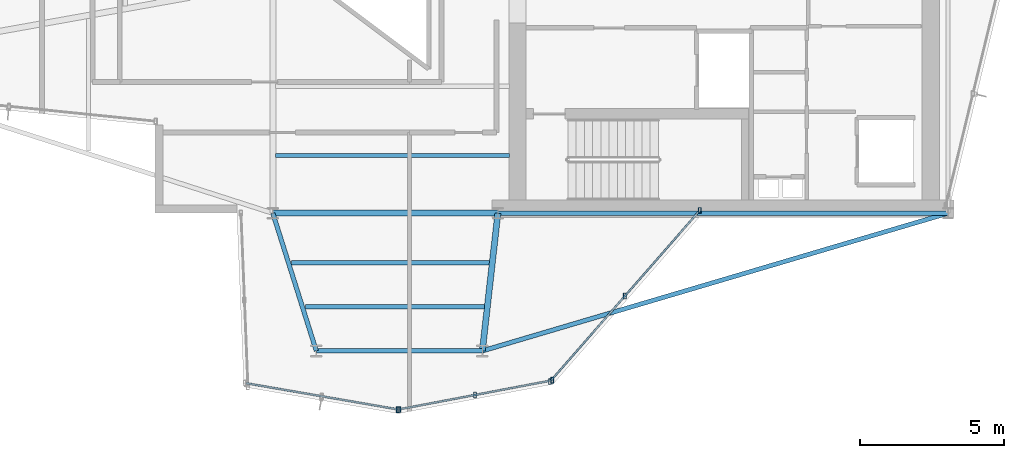
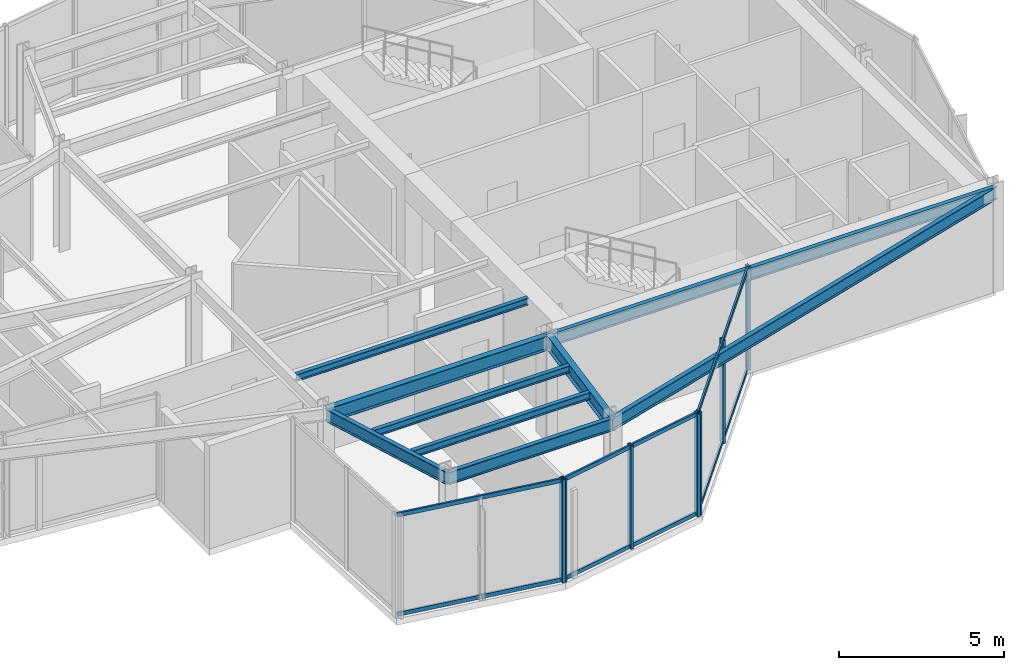
# One storey, part 3 of 14: 13 members, 9 beams, 3 elements without a shape of their own.
"""IFC4 building model written with IfcOpenShell, lengths in metres."""

from ifc_helpers import new_model, si_unit, direction, frame, origin, origin_2d, place, context, subcontext, project, spatial, hollow_rectangle, i_section, extrude, material, layer, layer_set, material_profile, profile_set, type_object, element, aggregate, save


model = new_model("IFC4")

# Units and contexts
model_context = context("Model", 3, precision=1e-05, world=origin(), true_north=direction((0.0, 1.0)))
body_context = subcontext(model_context, "Body", "Model", "MODEL_VIEW")
ifc_project = project(units=[si_unit("LENGTHUNIT", "METRE"), si_unit("AREAUNIT", "SQUARE_METRE"), si_unit("VOLUMEUNIT", "CUBIC_METRE"), si_unit("PLANEANGLEUNIT", "RADIAN"), si_unit("MASSUNIT", "GRAM", prefix="KILO")], contexts=[model_context])

# Site, building, storey
site_placement = place(None, origin())
site = spatial("IfcSite", under=ifc_project, at=site_placement, CompositionType="ELEMENT")
building_placement = place(site_placement, origin())
building = spatial("IfcBuilding", under=site, at=building_placement, Name="Veymaron Broadcast Tower", CompositionType="ELEMENT")
storey_placement = place(building_placement, frame((0.0, 0.0, 270.89990234375)))
storey = spatial("IfcBuildingStorey", under=building, at=storey_placement, Name="L63", CompositionType="ELEMENT", Elevation=270.89990234375)

# Beams
ifc_material_1 = material(Name="Structural steel ASTM A992 Gr 50", Category="steel")
ifc_material_profile_1 = material_profile(ifc_material_1, i_section(OverallWidth=0.208984375, OverallDepth=0.528076171875, WebThickness=0.009521484375, FlangeThickness=0.01318359375, at=origin_2d()), Name="W530X82")
ifc_profile_set_1 = profile_set([ifc_material_profile_1], Name="Structural steel ASTM A992 Gr 50")
beam_type_1 = type_object("IfcBeamType", Name="BM-FG4", PredefinedType="BEAM", material=ifc_profile_set_1)
beam_1_placement = place(storey_placement, frame((31.199951171875, 16.0, 3.546142578125), z_axis=(1.0, 0.0, 0.0), x_axis=(0.0, 1.0, 0.0)))
element("IfcBeam", 1, at=beam_1_placement, inside=storey, type_object=beam_type_1, Name="L63 primary structural floor girder", PredefinedType="BEAM", context=body_context, shape_type="SweptSolid", body=[
    extrude(i_section(OverallWidth=0.208984375, OverallDepth=0.528076171875, WebThickness=0.009521484375, FlangeThickness=0.01318359375, at=origin_2d()), origin(), (0.0, 0.0, 1.0), 7.800048828125),
])
beam_2_placement = place(storey_placement, frame((39.0, 16.0, 3.546142578125), z_axis=(-0.112049553621, -0.993702620271, 0.0), x_axis=(0.993702620271, -0.112049553621, 0.0)))
element("IfcBeam", 2, at=beam_2_placement, inside=storey, type_object=beam_type_1, Name="L63 primary structural floor girder", PredefinedType="BEAM", context=body_context, shape_type="SweptSolid", body=[
    extrude(i_section(OverallWidth=0.208984375, OverallDepth=0.528076171875, WebThickness=0.009521484375, FlangeThickness=0.01318359375, at=origin_2d()), origin(), (0.0, 0.0, 1.0), 4.80224609375),
])
ifc_material_profile_2 = material_profile(ifc_material_1, i_section(OverallWidth=0.14599609375, OverallDepth=0.258056640625, WebThickness=0.006103515625, FlangeThickness=0.009033203125, at=origin_2d()), Name="W250X33")
ifc_profile_set_2 = profile_set([ifc_material_profile_2], Name="Structural steel ASTM A992 Gr 50")
beam_type_2 = type_object("IfcBeamType", Name="BM-JS4", PredefinedType="JOIST", material=ifc_profile_set_2)
beam_3_placement = place(storey_placement, frame((31.84228515625, 14.281982421875, 3.68115234375), z_axis=(1.0, 0.0, 0.0), x_axis=(0.0, 1.0, 0.0)))
element("IfcBeam", 3, at=beam_3_placement, inside=storey, type_object=beam_type_2, Name="L63 Arm-C secondary joist 1", PredefinedType="JOIST", context=body_context, shape_type="SweptSolid", body=[
    extrude(i_section(OverallWidth=0.14599609375, OverallDepth=0.258056640625, WebThickness=0.006103515625, FlangeThickness=0.009033203125, at=origin_2d()), origin(), (0.0, 0.0, 1.0), 6.864013671875),
])
beam_4_placement = place(storey_placement, frame((32.324462890625, 12.7548828125, 3.68115234375), z_axis=(1.0, 0.0, 0.0), x_axis=(0.0, 1.0, 0.0)))
element("IfcBeam", 4, at=beam_4_placement, inside=storey, type_object=beam_type_2, Name="L63 Arm-C secondary joist 2", PredefinedType="JOIST", context=body_context, shape_type="SweptSolid", body=[
    extrude(i_section(OverallWidth=0.14599609375, OverallDepth=0.258056640625, WebThickness=0.006103515625, FlangeThickness=0.009033203125, at=origin_2d()), origin(), (0.0, 0.0, 1.0), 6.209716796875),
])
beam_5_placement = place(storey_placement, frame((31.300048828125, 18.0, 3.68115234375), z_axis=(1.0, 0.0, 0.0), x_axis=(0.0, 1.0, 0.0)))
element("IfcBeam", 5, at=beam_5_placement, inside=storey, type_object=beam_type_2, Name="L63 Hub secondary joist 1", PredefinedType="JOIST", context=body_context, shape_type="SweptSolid", body=[
    extrude(i_section(OverallWidth=0.14599609375, OverallDepth=0.258056640625, WebThickness=0.006103515625, FlangeThickness=0.009033203125, at=origin_2d()), origin(), (0.0, 0.0, 1.0), 8.099853515625),
])
ifc_material_profile_3 = material_profile(ifc_material_1, i_section(OverallWidth=0.154052734375, OverallDepth=0.458984375, WebThickness=0.009033203125, FlangeThickness=0.015380859375, at=origin_2d()), Name="W460X68")
ifc_profile_set_3 = profile_set([ifc_material_profile_3], Name="Structural steel ASTM A992 Gr 50")
beam_type_3 = type_object("IfcBeamType", Name="BM-SP2", PredefinedType="SPANDREL", material=ifc_profile_set_3)
beam_6_placement = place(storey_placement, frame((39.0, 16.0, 3.58056640625), z_axis=(1.0, 0.0, 0.0), x_axis=(0.0, 1.0, 0.0)))
element("IfcBeam", 6, at=beam_6_placement, inside=storey, type_object=beam_type_3, Name="L63 primary structural floor girder", PredefinedType="SPANDREL", context=body_context, shape_type="SweptSolid", body=[
    extrude(i_section(OverallWidth=0.154052734375, OverallDepth=0.458984375, WebThickness=0.009033203125, FlangeThickness=0.015380859375, at=origin_2d()), origin(), (0.0, 0.0, 1.0), 15.60009765625),
])
beam_7_placement = place(storey_placement, frame((31.199951171875, 16.0, 3.58056640625), z_axis=(0.301023957979, -0.953616577416, 0.0), x_axis=(0.953616577416, 0.301023957979, 0.0)))
element("IfcBeam", 7, at=beam_7_placement, inside=storey, type_object=beam_type_3, Name="L63 primary structural floor girder", PredefinedType="SPANDREL", context=body_context, shape_type="SweptSolid", body=[
    extrude(i_section(OverallWidth=0.154052734375, OverallDepth=0.458984375, WebThickness=0.009033203125, FlangeThickness=0.015380859375, at=origin_2d()), origin(), (0.0, 0.0, 1.0), 5.004150390625),
])
beam_8_placement = place(storey_placement, frame((54.60009765625, 16.0, 3.58056640625), z_axis=(-0.958955148663, -0.283557794556, 0.0), x_axis=(0.283557794556, -0.958955148663, 0.0)))
element("IfcBeam", 8, at=beam_8_placement, inside=storey, type_object=beam_type_3, Name="L63 primary structural floor girder", PredefinedType="SPANDREL", context=body_context, shape_type="SweptSolid", body=[
    extrude(i_section(OverallWidth=0.154052734375, OverallDepth=0.458984375, WebThickness=0.009033203125, FlangeThickness=0.015380859375, at=origin_2d()), origin(), (0.0, 0.0, 1.0), 16.828857421875),
])
beam_9_placement = place(storey_placement, frame((32.706298828125, 11.22802734375, 3.58056640625), z_axis=(1.0, 0.0, 0.0), x_axis=(0.0, 1.0, 0.0)))
element("IfcBeam", 9, at=beam_9_placement, inside=storey, type_object=beam_type_3, Name="L63 primary structural floor girder", PredefinedType="SPANDREL", context=body_context, shape_type="SweptSolid", body=[
    extrude(i_section(OverallWidth=0.154052734375, OverallDepth=0.458984375, WebThickness=0.009033203125, FlangeThickness=0.015380859375, at=origin_2d()), origin(), (0.0, 0.0, 1.0), 5.755615234375),
])

# Curtain wall, member
ifc_material_2 = material(Name="Anodised aluminium AA 6063-T6 and laminated low-E dark glass", Category="aluminium")
ifc_layer = layer(ifc_material_2, 0.179931640625)
ifc_layer_set = layer_set([ifc_layer], Name="Anodised aluminium AA 6063-T6 and laminated low-E dark glass")
curtain_wall_type = type_object("IfcCurtainWallType", Name="CW-SYS-06", PredefinedType="NOTDEFINED", material=ifc_layer_set)
curtain_wall_1_placement = place(storey_placement, origin())
curtain_wall_1 = element("IfcCurtainWall", 10, at=curtain_wall_1_placement, inside=storey, type_object=curtain_wall_type, Name="L63 dark-glass curtain wall CW-L63-E18-1", PredefinedType="NOTDEFINED")
ifc_material_3 = material(Name="Anodised aluminium AA 6063-T6", Category="aluminium")
ifc_material_profile_4 = material_profile(ifc_material_3, hollow_rectangle(XDim=0.10009765625, YDim=0.199951171875, WallThickness=0.010009765625, at=origin_2d()), Name="RHS200X100X10")
ifc_profile_set_4 = profile_set([ifc_material_profile_4], Name="Anodised aluminium AA 6063-T6")
member_type_1 = type_object("IfcMemberType", Name="CW-MUL-01", PredefinedType="MULLION", material=ifc_profile_set_4)
member_1_placement = place(storey_placement, frame((35.576904296875, 9.19287109375, 0.0), z_axis=(0.0, 0.0, 1.0), x_axis=(1.0, 0.0, 0.0)))
member_1 = element("IfcMember", 11, at=member_1_placement, type_object=member_type_1, Name="CW-L63-E18-1 mullion 2", PredefinedType="MULLION", context=body_context, shape_type="SweptSolid", body=[
    extrude(hollow_rectangle(XDim=0.10009765625, YDim=0.199951171875, WallThickness=0.010009765625, at=origin_2d()), origin(), (0.0, 0.0, 1.0), 3.81005859375),
])

# Curtain wall, members
curtain_wall_2_placement = place(storey_placement, origin())
curtain_wall_2 = element("IfcCurtainWall", 12, at=curtain_wall_2_placement, inside=storey, type_object=curtain_wall_type, Name="L63 dark-glass curtain wall CW-L63-E19-1", PredefinedType="NOTDEFINED")
member_2_placement = place(storey_placement, frame((35.527099609375, 9.1923828125, 0.0), z_axis=(0.0, 0.0, 1.0), x_axis=(1.0, 0.0, 0.0)))
member_2 = element("IfcMember", 13, at=member_2_placement, type_object=member_type_1, Name="CW-L63-E19-1 mullion 0", PredefinedType="MULLION", context=body_context, shape_type="SweptSolid", body=[
    extrude(hollow_rectangle(XDim=0.10009765625, YDim=0.199951171875, WallThickness=0.010009765625, at=origin_2d()), origin(), (0.0, 0.0, 1.0), 3.81005859375),
])
member_3_placement = place(storey_placement, frame((38.206298828125, 9.700439453125, 0.0), z_axis=(0.0, 0.0, 1.0), x_axis=(1.0, 0.0, 0.0)))
member_3 = element("IfcMember", 14, at=member_3_placement, type_object=member_type_1, Name="CW-L63-E19-1 mullion 1", PredefinedType="MULLION", context=body_context, shape_type="SweptSolid", body=[
    extrude(hollow_rectangle(XDim=0.10009765625, YDim=0.199951171875, WallThickness=0.010009765625, at=origin_2d()), origin(), (0.0, 0.0, 1.0), 3.81005859375),
])
member_4_placement = place(storey_placement, frame((40.88525390625, 10.208740234375, 0.0), z_axis=(0.0, 0.0, 1.0), x_axis=(1.0, 0.0, 0.0)))
member_4 = element("IfcMember", 15, at=member_4_placement, type_object=member_type_1, Name="CW-L63-E19-1 mullion 2", PredefinedType="MULLION", context=body_context, shape_type="SweptSolid", body=[
    extrude(hollow_rectangle(XDim=0.10009765625, YDim=0.199951171875, WallThickness=0.010009765625, at=origin_2d()), origin(), (0.0, 0.0, 1.0), 3.81005859375),
])

curtain_wall_3_placement = place(storey_placement, origin())
curtain_wall_3 = element("IfcCurtainWall", 16, at=curtain_wall_3_placement, inside=storey, type_object=curtain_wall_type, Name="L63 dark-glass curtain wall CW-L63-E20-1", PredefinedType="NOTDEFINED")
member_5_placement = place(storey_placement, frame((40.805908203125, 10.163330078125, 0.0), z_axis=(0.0, 0.0, 1.0), x_axis=(1.0, 0.0, 0.0)))
member_5 = element("IfcMember", 17, at=member_5_placement, type_object=member_type_1, Name="CW-L63-E20-1 mullion 0", PredefinedType="MULLION", context=body_context, shape_type="SweptSolid", body=[
    extrude(hollow_rectangle(XDim=0.10009765625, YDim=0.199951171875, WallThickness=0.010009765625, at=origin_2d()), origin(), (0.0, 0.0, 1.0), 3.81005859375),
])
member_6_placement = place(storey_placement, frame((43.400146484375, 13.127685546875, 0.0), z_axis=(0.0, 0.0, 1.0), x_axis=(1.0, 0.0, 0.0)))
member_6 = element("IfcMember", 18, at=member_6_placement, type_object=member_type_1, Name="CW-L63-E20-1 mullion 1", PredefinedType="MULLION", context=body_context, shape_type="SweptSolid", body=[
    extrude(hollow_rectangle(XDim=0.10009765625, YDim=0.199951171875, WallThickness=0.010009765625, at=origin_2d()), origin(), (0.0, 0.0, 1.0), 3.81005859375),
])
member_7_placement = place(storey_placement, frame((45.994384765625, 16.09228515625, 0.0), z_axis=(0.0, 0.0, 1.0), x_axis=(1.0, 0.0, 0.0)))
member_7 = element("IfcMember", 19, at=member_7_placement, type_object=member_type_1, Name="CW-L63-E20-1 mullion 2", PredefinedType="MULLION", context=body_context, shape_type="SweptSolid", body=[
    extrude(hollow_rectangle(XDim=0.10009765625, YDim=0.199951171875, WallThickness=0.010009765625, at=origin_2d()), origin(), (0.0, 0.0, 1.0), 3.81005859375),
])

# Member
ifc_material_profile_5 = material_profile(ifc_material_3, hollow_rectangle(XDim=0.06494140625, YDim=0.14990234375, WallThickness=0.00390625, at=origin_2d()), Name="AL150X65X4")
ifc_profile_set_5 = profile_set([ifc_material_profile_5], Name="Anodised aluminium AA 6063-T6")
member_type_2 = type_object("IfcMemberType", Name="CW-TRN-01", PredefinedType="USERDEFINED", material=ifc_profile_set_5)
member_8_placement = place(storey_placement, frame((30.26806640625, 10.1083984375, 0.070068359375), z_axis=(0.985454833095, -0.169937553031, 0.0), x_axis=(0.169937553031, 0.985454833095, 0.0)))
member_8 = element("IfcMember", 20, at=member_8_placement, type_object=member_type_2, Name="CW-L63-E18-1 transom B", ObjectType="TRANSOM", PredefinedType="USERDEFINED", context=body_context, shape_type="SweptSolid", body=[
    extrude(hollow_rectangle(XDim=0.06494140625, YDim=0.14990234375, WallThickness=0.00390625, at=origin_2d()), origin(), (0.0, 0.0, 1.0), 5.337158203125),
])

member_9_placement = place(storey_placement, frame((30.26806640625, 10.1083984375, 3.739990234375), z_axis=(0.985454833095, -0.169937553031, 0.0), x_axis=(0.169937553031, 0.985454833095, 0.0)))
member_9 = element("IfcMember", 21, at=member_9_placement, type_object=member_type_2, Name="CW-L63-E18-1 transom T", ObjectType="TRANSOM", PredefinedType="USERDEFINED", context=body_context, shape_type="SweptSolid", body=[
    extrude(hollow_rectangle(XDim=0.06494140625, YDim=0.14990234375, WallThickness=0.00390625, at=origin_2d()), origin(), (0.0, 0.0, 1.0), 5.337158203125),
])

aggregate(curtain_wall_1, [member_1, member_8, member_9])

member_10_placement = place(storey_placement, frame((35.576171875, 9.20166015625, 0.070068359375), z_axis=(0.982479182854, 0.186372356478, 0.0), x_axis=(-0.186372356478, 0.982479182854, 0.0)))
member_10 = element("IfcMember", 22, at=member_10_placement, type_object=member_type_2, Name="CW-L63-E19-1 transom B", ObjectType="TRANSOM", PredefinedType="USERDEFINED", context=body_context, shape_type="SweptSolid", body=[
    extrude(hollow_rectangle(XDim=0.06494140625, YDim=0.14990234375, WallThickness=0.00390625, at=origin_2d()), origin(), (0.0, 0.0, 1.0), 5.353759765625),
])

member_11_placement = place(storey_placement, frame((35.576171875, 9.20166015625, 3.739990234375), z_axis=(0.982479182854, 0.186372356478, 0.0), x_axis=(-0.186372356478, 0.982479182854, 0.0)))
member_11 = element("IfcMember", 23, at=member_11_placement, type_object=member_type_2, Name="CW-L63-E19-1 transom T", ObjectType="TRANSOM", PredefinedType="USERDEFINED", context=body_context, shape_type="SweptSolid", body=[
    extrude(hollow_rectangle(XDim=0.06494140625, YDim=0.14990234375, WallThickness=0.00390625, at=origin_2d()), origin(), (0.0, 0.0, 1.0), 5.353759765625),
])

aggregate(curtain_wall_2, [member_2, member_3, member_4, member_10, member_11])

member_12_placement = place(storey_placement, frame((40.8388671875, 10.200927734375, 0.070068359375), z_axis=(0.658560155481, 0.752528086926, 0.0), x_axis=(-0.752528086926, 0.658560155481, 0.0)))
member_12 = element("IfcMember", 24, at=member_12_placement, type_object=member_type_2, Name="CW-L63-E20-1 transom B", ObjectType="TRANSOM", PredefinedType="USERDEFINED", context=body_context, shape_type="SweptSolid", body=[
    extrude(hollow_rectangle(XDim=0.06494140625, YDim=0.14990234375, WallThickness=0.00390625, at=origin_2d()), origin(), (0.0, 0.0, 1.0), 7.77880859375),
])

member_13_placement = place(storey_placement, frame((40.8388671875, 10.200927734375, 3.739990234375), z_axis=(0.658560155481, 0.752528086926, 0.0), x_axis=(-0.752528086926, 0.658560155481, 0.0)))
member_13 = element("IfcMember", 25, at=member_13_placement, type_object=member_type_2, Name="CW-L63-E20-1 transom T", ObjectType="TRANSOM", PredefinedType="USERDEFINED", context=body_context, shape_type="SweptSolid", body=[
    extrude(hollow_rectangle(XDim=0.06494140625, YDim=0.14990234375, WallThickness=0.00390625, at=origin_2d()), origin(), (0.0, 0.0, 1.0), 7.77880859375),
])

aggregate(curtain_wall_3, [member_5, member_6, member_7, member_12, member_13])

save(model, "model.ifc")
